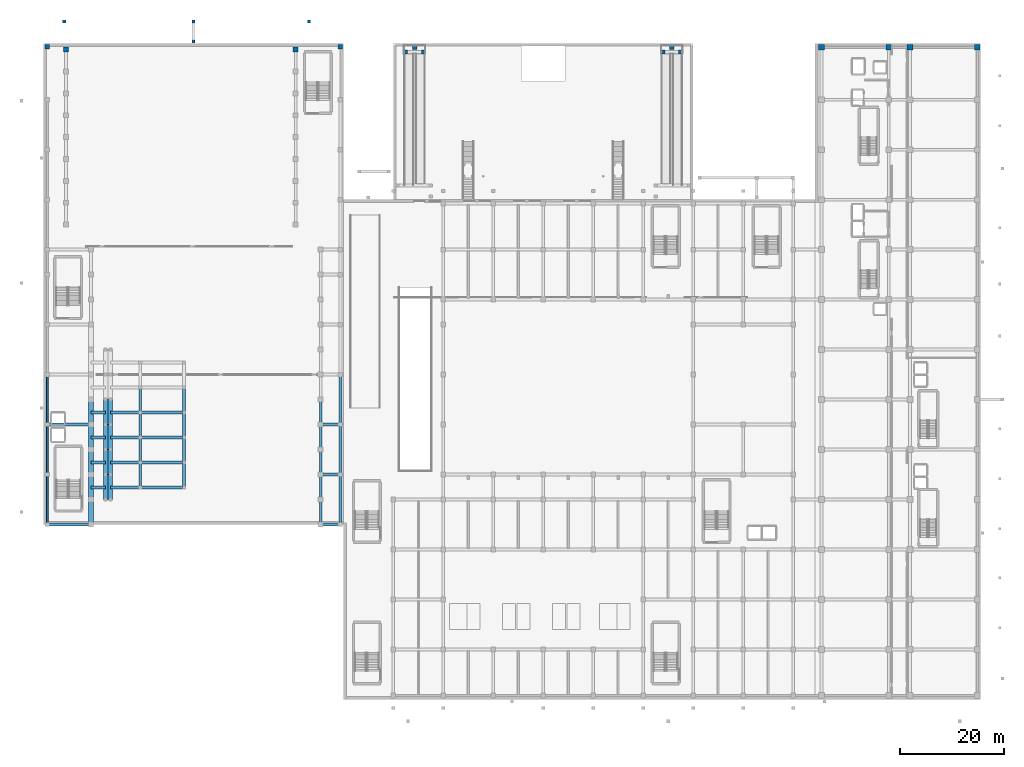
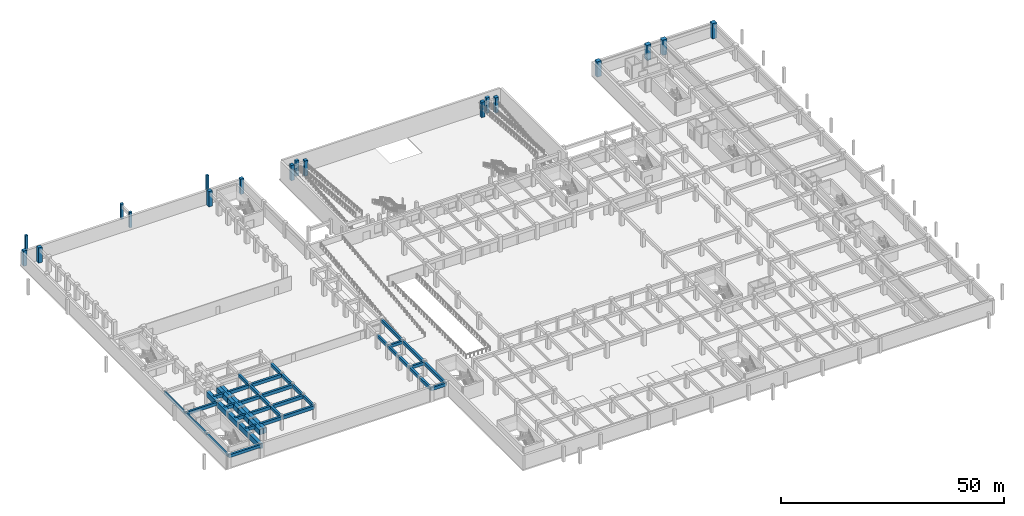
# One storey, part 4 of 39: 49 beams, 18 columns.
"""IFC4 building model written with IfcOpenShell, lengths in metres."""

from ifc_helpers import new_model, si_unit, direction, frame, origin, origin_2d, place, context, subcontext, project, spatial, rectangle, extrude, material, material_profile, profile_set, type_object, element, save


model = new_model("IFC4")

# Units and contexts
model_context = context("Model", 3, precision=1e-05, world=origin(), true_north=direction((0.0, 1.0)))
body_context = subcontext(model_context, "Body", "Model", "MODEL_VIEW")
ifc_project = project(units=[si_unit("LENGTHUNIT", "METRE"), si_unit("AREAUNIT", "SQUARE_METRE"), si_unit("VOLUMEUNIT", "CUBIC_METRE"), si_unit("PLANEANGLEUNIT", "RADIAN"), si_unit("MASSUNIT", "GRAM", prefix="KILO")], contexts=[model_context])

# Site, building, storey
site_placement = place(None, origin())
site = spatial("IfcSite", under=ifc_project, at=site_placement, CompositionType="ELEMENT")
building_placement = place(site_placement, origin())
building = spatial("IfcBuilding", under=site, at=building_placement, Name="Nakhvara Creek Congress Hotel", CompositionType="ELEMENT")
storey_placement = place(building_placement, frame((0.0, 0.0, -4.199951171875)))
storey = spatial("IfcBuildingStorey", under=building, at=storey_placement, Name="B1", CompositionType="ELEMENT", Elevation=-4.199951171875)

# Columns
ifc_material_1 = material(Name="Concrete C50/60", Category="concrete")
ifc_material_profile_1 = material_profile(ifc_material_1, rectangle(XDim=1.10009765625, YDim=1.10009765625, at=origin_2d()), Name="RC-COL 1100x1100", Category="LoadBearing")
ifc_profile_set_1 = profile_set([ifc_material_profile_1], Name="Concrete C50/60")
column_type_1 = type_object("IfcColumnType", Name="COL-RC-1100", PredefinedType="COLUMN", material=ifc_profile_set_1)
for number, where, z_axis, x_axis, name in (
    (1, (149.449951171875, 125.25, 0.0), (0.0, 0.0, 1.0), (1.0, 0.0, 0.0), "Column C01-B1-0497"),
    (2, (162.35009765625, 125.25, 0.0), (0.0, 0.0, 1.0), (1.0, 0.0, 0.0), "Column C01-B1-0511"),
    (3, (166.449951171875, 125.25, 0.0), (0.0, 0.0, 1.0), (1.0, 0.0, 0.0), "Column C01-B1-0525"),
    (4, (179.35009765625, 125.25, 0.0), (0.0, 0.0, 1.0), (1.0, 0.0, 0.0), "Column C01-B1-0539"),
):
    element("IfcColumn", number, at=place(storey_placement, frame(where, z_axis=z_axis, x_axis=x_axis)), inside=storey, type_object=column_type_1, Name=name, PredefinedType="COLUMN", context=body_context, shape_type="SweptSolid", body=[
        extrude(rectangle(XDim=1.10009765625, YDim=1.10009765625, at=origin_2d()), origin(), (0.0, 0.0, 1.0), 4.199951171875),
    ])
ifc_material_profile_2 = material_profile(ifc_material_1, rectangle(XDim=0.60009765625, YDim=0.60009765625, at=origin_2d()), Name="RC-COL 600x600", Category="LoadBearing")
ifc_profile_set_2 = profile_set([ifc_material_profile_2], Name="Concrete C50/60")
column_type_2 = type_object("IfcColumnType", Name="COL-RC-600", PredefinedType="COLUMN", material=ifc_profile_set_2)
for number, where, z_axis, x_axis, name in (
    (5, (4.0, 130.199951171875, 0.0), (0.0, 0.0, 1.0), (1.0, 0.0, 0.0), "Column C08-B1-0557"),
    (6, (28.800048828125, 130.199951171875, 0.0), (0.0, 0.0, 1.0), (1.0, 0.0, 0.0), "Column C08-B1-0558"),
    (7, (51.0, 130.199951171875, 0.0), (0.0, 0.0, 1.0), (1.0, 0.0, 0.0), "Column C08-B1-0559"),
    (8, (28.800048828125, 126.39990234375, 0.0), (0.0, 0.0, 1.0), (1.0, 0.0, 0.0), "Column C08-B1-0560"),
):
    element("IfcColumn", number, at=place(storey_placement, frame(where, z_axis=z_axis, x_axis=x_axis)), inside=storey, type_object=column_type_2, Name=name, PredefinedType="COLUMN", context=body_context, shape_type="SweptSolid", body=[
        extrude(rectangle(XDim=0.60009765625, YDim=0.60009765625, at=origin_2d()), origin(), (0.0, 0.0, 1.0), 4.199951171875),
    ])
ifc_material_profile_3 = material_profile(ifc_material_1, rectangle(XDim=0.85009765625, YDim=0.85009765625, at=origin_2d()), Name="RC-COL 850x850", Category="LoadBearing")
ifc_profile_set_3 = profile_set([ifc_material_profile_3], Name="Concrete C50/60")
column_type_3 = type_object("IfcColumnType", Name="COL-RC-850", PredefinedType="COLUMN", material=ifc_profile_set_3)
for number, where, z_axis, x_axis, name in (
    (9, (0.75, 125.39990234375, 0.0), (0.0, 0.0, 1.0), (1.0, 0.0, 0.0), "Column C18-B1-0382"),
    (10, (57.050048828125, 125.39990234375, 0.0), (0.0, 0.0, 1.0), (1.0, 0.0, 0.0), "Column C18-B1-0383"),
    (11, (69.550048828125, 124.35009765625, 0.0), (0.0, 0.0, 1.0), (1.0, 0.0, 0.0), "Column C18-B1-0546"),
    (12, (73.050048828125, 124.35009765625, 0.0), (0.0, 0.0, 1.0), (1.0, 0.0, 0.0), "Column C18-B1-0547"),
    (13, (71.300048828125, 125.300048828125, 0.0), (0.0, 0.0, 1.0), (1.0, 0.0, 0.0), "Column C18-B1-0548"),
    (14, (118.949951171875, 124.35009765625, 0.0), (0.0, 0.0, 1.0), (1.0, 0.0, 0.0), "Column C18-B1-0549"),
    (15, (122.449951171875, 124.35009765625, 0.0), (0.0, 0.0, 1.0), (1.0, 0.0, 0.0), "Column C18-B1-0550"),
    (16, (120.699951171875, 125.300048828125, 0.0), (0.0, 0.0, 1.0), (1.0, 0.0, 0.0), "Column C18-B1-0551"),
):
    element("IfcColumn", number, at=place(storey_placement, frame(where, z_axis=z_axis, x_axis=x_axis)), inside=storey, type_object=column_type_3, Name=name, PredefinedType="COLUMN", context=body_context, shape_type="SweptSolid", body=[
        extrude(rectangle(XDim=0.85009765625, YDim=0.85009765625, at=origin_2d()), origin(), (0.0, 0.0, 1.0), 4.199951171875),
    ])
ifc_material_profile_4 = material_profile(ifc_material_1, rectangle(XDim=0.949951171875, YDim=0.949951171875, at=origin_2d()), Name="RC-COL 950x950", Category="LoadBearing")
ifc_profile_set_4 = profile_set([ifc_material_profile_4], Name="Concrete C50/60")
column_type_4 = type_object("IfcColumnType", Name="COL-RC-950", PredefinedType="COLUMN", material=ifc_profile_set_4)
for number, where, z_axis, x_axis, name in (
    (17, (4.35009765625, 124.800048828125, 0.0), (0.0, 0.0, 1.0), (1.0, 0.0, 0.0), "Column C17-B1-0374"),
    (18, (48.449951171875, 124.800048828125, 0.0), (0.0, 0.0, 1.0), (1.0, 0.0, 0.0), "Column C17-B1-0375"),
):
    element("IfcColumn", number, at=place(storey_placement, frame(where, z_axis=z_axis, x_axis=x_axis)), inside=storey, type_object=column_type_4, Name=name, PredefinedType="COLUMN", context=body_context, shape_type="SweptSolid", body=[
        extrude(rectangle(XDim=0.949951171875, YDim=0.949951171875, at=origin_2d()), origin(), (0.0, 0.0, 1.0), 4.199951171875),
    ])

# Beams
ifc_material_profile_5 = material_profile(ifc_material_1, rectangle(XDim=0.550048828125, YDim=0.89990234375, at=origin_2d()), Name="RC-RAKER 550x900", Category="LoadBearing")
ifc_profile_set_5 = profile_set([ifc_material_profile_5], Name="Concrete C50/60")
beam_type_1 = type_object("IfcBeamType", Name="BM-RAKER-900", PredefinedType="BEAM", material=ifc_profile_set_5)
beam_1_placement = place(storey_placement, frame((9.14990234375, 40.699951171875, 3.329833984375), z_axis=(1.0, 0.0, 0.0), x_axis=(0.0, 1.0, 0.0)))
element("IfcBeam", 19, at=beam_1_placement, inside=storey, type_object=beam_type_1, Name="Congress Stand RAKER Span A 01", PredefinedType="BEAM", context=body_context, shape_type="SweptSolid", body=[
    extrude(rectangle(XDim=0.550048828125, YDim=0.89990234375, at=origin_2d()), origin(), (0.0, 0.0, 1.0), 2.800048828125),
])
beam_2_placement = place(storey_placement, frame((12.85009765625, 40.699951171875, 3.329833984375), z_axis=(1.0, 0.0, 0.0), x_axis=(0.0, 1.0, 0.0)))
element("IfcBeam", 20, at=beam_2_placement, inside=storey, type_object=beam_type_1, Name="Congress Stand RAKER Span B 01", PredefinedType="BEAM", context=body_context, shape_type="SweptSolid", body=[
    extrude(rectangle(XDim=0.550048828125, YDim=0.89990234375, at=origin_2d()), origin(), (0.0, 0.0, 1.0), 5.75),
])
beam_3_placement = place(storey_placement, frame((18.60009765625, 40.699951171875, 3.329833984375), z_axis=(1.0, 0.0, 0.0), x_axis=(0.0, 1.0, 0.0)))
element("IfcBeam", 21, at=beam_3_placement, inside=storey, type_object=beam_type_1, Name="Congress Stand RAKER Span C 01", PredefinedType="BEAM", context=body_context, shape_type="SweptSolid", body=[
    extrude(rectangle(XDim=0.550048828125, YDim=0.89990234375, at=origin_2d()), origin(), (0.0, 0.0, 1.0), 8.39990234375),
])
beam_4_placement = place(storey_placement, frame((9.14990234375, 45.5, 3.329833984375), z_axis=(1.0, 0.0, 0.0), x_axis=(0.0, 1.0, 0.0)))
element("IfcBeam", 22, at=beam_4_placement, inside=storey, type_object=beam_type_1, Name="Congress Stand RAKER Span A 02", PredefinedType="BEAM", context=body_context, shape_type="SweptSolid", body=[
    extrude(rectangle(XDim=0.550048828125, YDim=0.89990234375, at=origin_2d()), origin(), (0.0, 0.0, 1.0), 2.800048828125),
])
beam_5_placement = place(storey_placement, frame((12.85009765625, 45.5, 3.329833984375), z_axis=(1.0, 0.0, 0.0), x_axis=(0.0, 1.0, 0.0)))
element("IfcBeam", 23, at=beam_5_placement, inside=storey, type_object=beam_type_1, Name="Congress Stand RAKER Span B 02", PredefinedType="BEAM", context=body_context, shape_type="SweptSolid", body=[
    extrude(rectangle(XDim=0.550048828125, YDim=0.89990234375, at=origin_2d()), origin(), (0.0, 0.0, 1.0), 5.75),
])
beam_6_placement = place(storey_placement, frame((18.60009765625, 45.5, 3.329833984375), z_axis=(1.0, 0.0, 0.0), x_axis=(0.0, 1.0, 0.0)))
element("IfcBeam", 24, at=beam_6_placement, inside=storey, type_object=beam_type_1, Name="Congress Stand RAKER Span C 02", PredefinedType="BEAM", context=body_context, shape_type="SweptSolid", body=[
    extrude(rectangle(XDim=0.550048828125, YDim=0.89990234375, at=origin_2d()), origin(), (0.0, 0.0, 1.0), 8.39990234375),
])
beam_7_placement = place(storey_placement, frame((9.14990234375, 50.300048828125, 3.329833984375), z_axis=(1.0, 0.0, 0.0), x_axis=(0.0, 1.0, 0.0)))
element("IfcBeam", 25, at=beam_7_placement, inside=storey, type_object=beam_type_1, Name="Congress Stand RAKER Span A 03", PredefinedType="BEAM", context=body_context, shape_type="SweptSolid", body=[
    extrude(rectangle(XDim=0.550048828125, YDim=0.89990234375, at=origin_2d()), origin(), (0.0, 0.0, 1.0), 2.800048828125),
])
beam_8_placement = place(storey_placement, frame((12.85009765625, 50.300048828125, 3.329833984375), z_axis=(1.0, 0.0, 0.0), x_axis=(0.0, 1.0, 0.0)))
element("IfcBeam", 26, at=beam_8_placement, inside=storey, type_object=beam_type_1, Name="Congress Stand RAKER Span B 03", PredefinedType="BEAM", context=body_context, shape_type="SweptSolid", body=[
    extrude(rectangle(XDim=0.550048828125, YDim=0.89990234375, at=origin_2d()), origin(), (0.0, 0.0, 1.0), 5.75),
])
beam_9_placement = place(storey_placement, frame((18.60009765625, 50.300048828125, 3.329833984375), z_axis=(1.0, 0.0, 0.0), x_axis=(0.0, 1.0, 0.0)))
element("IfcBeam", 27, at=beam_9_placement, inside=storey, type_object=beam_type_1, Name="Congress Stand RAKER Span C 03", PredefinedType="BEAM", context=body_context, shape_type="SweptSolid", body=[
    extrude(rectangle(XDim=0.550048828125, YDim=0.89990234375, at=origin_2d()), origin(), (0.0, 0.0, 1.0), 8.39990234375),
])
beam_10_placement = place(storey_placement, frame((9.14990234375, 55.10009765625, 3.329833984375), z_axis=(1.0, 0.0, 0.0), x_axis=(0.0, 1.0, 0.0)))
element("IfcBeam", 28, at=beam_10_placement, inside=storey, type_object=beam_type_1, Name="Congress Stand RAKER Span A 04", PredefinedType="BEAM", context=body_context, shape_type="SweptSolid", body=[
    extrude(rectangle(XDim=0.550048828125, YDim=0.89990234375, at=origin_2d()), origin(), (0.0, 0.0, 1.0), 2.800048828125),
])
beam_11_placement = place(storey_placement, frame((12.85009765625, 55.10009765625, 3.329833984375), z_axis=(1.0, 0.0, 0.0), x_axis=(0.0, 1.0, 0.0)))
element("IfcBeam", 29, at=beam_11_placement, inside=storey, type_object=beam_type_1, Name="Congress Stand RAKER Span B 04", PredefinedType="BEAM", context=body_context, shape_type="SweptSolid", body=[
    extrude(rectangle(XDim=0.550048828125, YDim=0.89990234375, at=origin_2d()), origin(), (0.0, 0.0, 1.0), 5.75),
])
beam_12_placement = place(storey_placement, frame((18.60009765625, 55.10009765625, 3.329833984375), z_axis=(1.0, 0.0, 0.0), x_axis=(0.0, 1.0, 0.0)))
element("IfcBeam", 30, at=beam_12_placement, inside=storey, type_object=beam_type_1, Name="Congress Stand RAKER Span C 04", PredefinedType="BEAM", context=body_context, shape_type="SweptSolid", body=[
    extrude(rectangle(XDim=0.550048828125, YDim=0.89990234375, at=origin_2d()), origin(), (0.0, 0.0, 1.0), 8.39990234375),
])
ifc_material_profile_6 = material_profile(ifc_material_1, rectangle(XDim=0.52001953125, YDim=0.840087890625, at=origin_2d()), Name="RC-BM 520x840", Category="LoadBearing")
ifc_profile_set_6 = profile_set([ifc_material_profile_6], Name="Concrete C50/60")
beam_type_2 = type_object("IfcBeamType", Name="BM-RC-520X840", PredefinedType="BEAM", material=ifc_profile_set_6)
beam_13_placement = place(storey_placement, frame((0.75, 33.60009765625, 3.35986328125), z_axis=(1.0, 0.0, 0.0), x_axis=(0.0, 1.0, 0.0)))
element("IfcBeam", 31, at=beam_13_placement, inside=storey, type_object=beam_type_2, Name="Beam B14-B1-0365", PredefinedType="BEAM", context=body_context, shape_type="SweptSolid", body=[
    extrude(rectangle(XDim=0.52001953125, YDim=0.840087890625, at=origin_2d()), origin(), (0.0, 0.0, 1.0), 8.39990234375),
])
beam_14_placement = place(storey_placement, frame((57.050048828125, 33.60009765625, 3.35986328125), z_axis=(0.0, 1.0, 0.0), x_axis=(-1.0, 0.0, 0.0)))
element("IfcBeam", 32, at=beam_14_placement, inside=storey, type_object=beam_type_2, Name="Beam B14-B1-0366", PredefinedType="BEAM", context=body_context, shape_type="SweptSolid", body=[
    extrude(rectangle(XDim=0.52001953125, YDim=0.840087890625, at=origin_2d()), origin(), (0.0, 0.0, 1.0), 9.599853515625),
])
beam_15_placement = place(storey_placement, frame((53.25, 33.60009765625, 3.35986328125), z_axis=(1.0, 0.0, 0.0), x_axis=(0.0, 1.0, 0.0)))
element("IfcBeam", 33, at=beam_15_placement, inside=storey, type_object=beam_type_2, Name="Beam B14-B1-0367", PredefinedType="BEAM", context=body_context, shape_type="SweptSolid", body=[
    extrude(rectangle(XDim=0.52001953125, YDim=0.840087890625, at=origin_2d()), origin(), (0.0, 0.0, 1.0), 3.800048828125),
])
beam_16_placement = place(storey_placement, frame((57.050048828125, 43.199951171875, 3.35986328125), z_axis=(0.0, 1.0, 0.0), x_axis=(-1.0, 0.0, 0.0)))
element("IfcBeam", 34, at=beam_16_placement, inside=storey, type_object=beam_type_2, Name="Beam B14-B1-0369", PredefinedType="BEAM", context=body_context, shape_type="SweptSolid", body=[
    extrude(rectangle(XDim=0.52001953125, YDim=0.840087890625, at=origin_2d()), origin(), (0.0, 0.0, 1.0), 9.60009765625),
])
beam_17_placement = place(storey_placement, frame((53.25, 43.199951171875, 3.35986328125), z_axis=(1.0, 0.0, 0.0), x_axis=(0.0, 1.0, 0.0)))
element("IfcBeam", 35, at=beam_17_placement, inside=storey, type_object=beam_type_2, Name="Beam B14-B1-0370", PredefinedType="BEAM", context=body_context, shape_type="SweptSolid", body=[
    extrude(rectangle(XDim=0.52001953125, YDim=0.840087890625, at=origin_2d()), origin(), (0.0, 0.0, 1.0), 3.800048828125),
])
beam_18_placement = place(storey_placement, frame((0.75, 52.800048828125, 3.35986328125), z_axis=(1.0, 0.0, 0.0), x_axis=(0.0, 1.0, 0.0)))
element("IfcBeam", 36, at=beam_18_placement, inside=storey, type_object=beam_type_2, Name="Beam B14-B1-0372", PredefinedType="BEAM", context=body_context, shape_type="SweptSolid", body=[
    extrude(rectangle(XDim=0.52001953125, YDim=0.840087890625, at=origin_2d()), origin(), (0.0, 0.0, 1.0), 8.39990234375),
])
beam_19_placement = place(storey_placement, frame((57.050048828125, 52.800048828125, 3.35986328125), z_axis=(0.0, 1.0, 0.0), x_axis=(-1.0, 0.0, 0.0)))
element("IfcBeam", 37, at=beam_19_placement, inside=storey, type_object=beam_type_2, Name="Beam B14-B1-0373", PredefinedType="BEAM", context=body_context, shape_type="SweptSolid", body=[
    extrude(rectangle(XDim=0.52001953125, YDim=0.840087890625, at=origin_2d()), origin(), (0.0, 0.0, 1.0), 9.599853515625),
])
beam_20_placement = place(storey_placement, frame((53.25, 52.800048828125, 3.35986328125), z_axis=(1.0, 0.0, 0.0), x_axis=(0.0, 1.0, 0.0)))
element("IfcBeam", 38, at=beam_20_placement, inside=storey, type_object=beam_type_2, Name="Beam B14-B1-0374", PredefinedType="BEAM", context=body_context, shape_type="SweptSolid", body=[
    extrude(rectangle(XDim=0.52001953125, YDim=0.840087890625, at=origin_2d()), origin(), (0.0, 0.0, 1.0), 3.800048828125),
])
beam_21_placement = place(storey_placement, frame((53.25, 33.60009765625, 3.35986328125), z_axis=(0.0, 1.0, 0.0), x_axis=(-1.0, 0.0, 0.0)))
element("IfcBeam", 39, at=beam_21_placement, inside=storey, type_object=beam_type_2, Name="Beam B14-B1-0391", PredefinedType="BEAM", context=body_context, shape_type="SweptSolid", body=[
    extrude(rectangle(XDim=0.52001953125, YDim=0.840087890625, at=origin_2d()), origin(), (0.0, 0.0, 1.0), 4.7998046875),
])
for number, where, z_axis, x_axis, name in (
    (40, (53.25, 38.39990234375, 3.35986328125), (0.0, 1.0, 0.0), (-1.0, 0.0, 0.0), "Beam B14-B1-0393"),
    (41, (53.25, 43.199951171875, 3.35986328125), (0.0, 1.0, 0.0), (-1.0, 0.0, 0.0), "Beam B14-B1-0395"),
    (42, (53.25, 48.0, 3.35986328125), (0.0, 1.0, 0.0), (-1.0, 0.0, 0.0), "Beam B14-B1-0397"),
    (43, (53.25, 52.800048828125, 3.35986328125), (0.0, 1.0, 0.0), (-1.0, 0.0, 0.0), "Beam B14-B1-0399"),
    (44, (18.60009765625, 40.699951171875, 3.35986328125), (0.0, 1.0, 0.0), (-1.0, 0.0, 0.0), "Beam B14-B1-0424"),
    (45, (27.0, 40.699951171875, 3.35986328125), (0.0, 1.0, 0.0), (-1.0, 0.0, 0.0), "Beam B14-B1-0425"),
    (46, (18.60009765625, 45.5, 3.35986328125), (0.0, 1.0, 0.0), (-1.0, 0.0, 0.0), "Beam B14-B1-0426"),
    (47, (27.0, 45.5, 3.35986328125), (0.0, 1.0, 0.0), (-1.0, 0.0, 0.0), "Beam B14-B1-0427"),
    (48, (18.60009765625, 50.300048828125, 3.35986328125), (0.0, 1.0, 0.0), (-1.0, 0.0, 0.0), "Beam B14-B1-0428"),
    (49, (27.0, 50.300048828125, 3.35986328125), (0.0, 1.0, 0.0), (-1.0, 0.0, 0.0), "Beam B14-B1-0429"),
):
    element("IfcBeam", number, at=place(storey_placement, frame(where, z_axis=z_axis, x_axis=x_axis)), inside=storey, type_object=beam_type_2, Name=name, PredefinedType="BEAM", context=body_context, shape_type="SweptSolid", body=[
        extrude(rectangle(XDim=0.52001953125, YDim=0.840087890625, at=origin_2d()), origin(), (0.0, 0.0, 1.0), 4.800048828125),
    ])
for number, where, z_axis, x_axis, name in (
    (50, (18.60009765625, 55.10009765625, 3.35986328125), (0.0, 1.0, 0.0), (-1.0, 0.0, 0.0), "Beam B14-B1-0430"),
    (51, (27.0, 55.10009765625, 3.35986328125), (0.0, 1.0, 0.0), (-1.0, 0.0, 0.0), "Beam B14-B1-0431"),
):
    element("IfcBeam", number, at=place(storey_placement, frame(where, z_axis=z_axis, x_axis=x_axis)), inside=storey, type_object=beam_type_2, Name=name, PredefinedType="BEAM", context=body_context, shape_type="SweptSolid", body=[
        extrude(rectangle(XDim=0.52001953125, YDim=0.840087890625, at=origin_2d()), origin(), (0.0, 0.0, 1.0), 4.7998046875),
    ])
ifc_material_2 = material(Name="Concrete C40/50", Category="concrete")
ifc_material_profile_7 = material_profile(ifc_material_2, rectangle(XDim=0.35009765625, YDim=0.75, at=origin_2d()), Name="RC-SPANDREL 350x750", Category="LoadBearing")
ifc_profile_set_7 = profile_set([ifc_material_profile_7], Name="Concrete C40/50")
beam_type_3 = type_object("IfcBeamType", Name="BM-SPN-350X750", PredefinedType="SPANDREL", material=ifc_profile_set_7)
beam_22_placement = place(storey_placement, frame((0.75, 33.60009765625, 3.405029296875), z_axis=(0.0, 1.0, 0.0), x_axis=(-1.0, 0.0, 0.0)))
element("IfcBeam", 52, at=beam_22_placement, inside=storey, type_object=beam_type_3, Name="Beam SP1-B1-0364", PredefinedType="SPANDREL", context=body_context, shape_type="SweptSolid", body=[
    extrude(rectangle(XDim=0.35009765625, YDim=0.75, at=origin_2d()), origin(), (0.0, 0.0, 1.0), 9.599853515625),
])
beam_23_placement = place(storey_placement, frame((0.75, 43.199951171875, 3.405029296875), z_axis=(0.0, 1.0, 0.0), x_axis=(-1.0, 0.0, 0.0)))
element("IfcBeam", 53, at=beam_23_placement, inside=storey, type_object=beam_type_3, Name="Beam SP1-B1-0368", PredefinedType="SPANDREL", context=body_context, shape_type="SweptSolid", body=[
    extrude(rectangle(XDim=0.35009765625, YDim=0.75, at=origin_2d()), origin(), (0.0, 0.0, 1.0), 9.60009765625),
])
beam_24_placement = place(storey_placement, frame((0.75, 52.800048828125, 3.405029296875), z_axis=(0.0, 1.0, 0.0), x_axis=(-1.0, 0.0, 0.0)))
element("IfcBeam", 54, at=beam_24_placement, inside=storey, type_object=beam_type_3, Name="Beam SP1-B1-0371", PredefinedType="SPANDREL", context=body_context, shape_type="SweptSolid", body=[
    extrude(rectangle(XDim=0.35009765625, YDim=0.75, at=origin_2d()), origin(), (0.0, 0.0, 1.0), 9.599853515625),
])
ifc_material_profile_8 = material_profile(ifc_material_1, rectangle(XDim=0.89990234375, YDim=1.39990234375, at=origin_2d()), Name="RC-TG 900x1400", Category="LoadBearing")
ifc_profile_set_8 = profile_set([ifc_material_profile_8], Name="Concrete C50/60")
beam_type_4 = type_object("IfcBeamType", Name="BM-TG1-1400", PredefinedType="BEAM", material=ifc_profile_set_8)
beam_25_placement = place(storey_placement, frame((9.14990234375, 33.60009765625, 3.079833984375), z_axis=(0.0, 1.0, 0.0), x_axis=(-1.0, 0.0, 0.0)))
element("IfcBeam", 55, at=beam_25_placement, inside=storey, type_object=beam_type_4, Name="Transfer Girder TG1-B1-0390", PredefinedType="BEAM", context=body_context, shape_type="SweptSolid", body=[
    extrude(rectangle(XDim=0.89990234375, YDim=1.39990234375, at=origin_2d()), origin(), (0.0, 0.0, 1.0), 4.7998046875),
])
for number, where, z_axis, x_axis, name in (
    (56, (9.14990234375, 38.39990234375, 3.079833984375), (0.0, 1.0, 0.0), (-1.0, 0.0, 0.0), "Transfer Girder TG1-B1-0392"),
    (57, (9.14990234375, 43.199951171875, 3.079833984375), (0.0, 1.0, 0.0), (-1.0, 0.0, 0.0), "Transfer Girder TG1-B1-0394"),
    (58, (9.14990234375, 48.0, 3.079833984375), (0.0, 1.0, 0.0), (-1.0, 0.0, 0.0), "Transfer Girder TG1-B1-0396"),
    (59, (9.14990234375, 52.800048828125, 3.079833984375), (0.0, 1.0, 0.0), (-1.0, 0.0, 0.0), "Transfer Girder TG1-B1-0398"),
    (60, (11.949951171875, 38.39990234375, 3.079833984375), (0.0, 1.0, 0.0), (-1.0, 0.0, 0.0), "Transfer Girder TG1-B1-0412"),
    (61, (12.85009765625, 38.39990234375, 3.079833984375), (0.0, 1.0, 0.0), (-1.0, 0.0, 0.0), "Transfer Girder TG1-B1-0413"),
    (62, (11.949951171875, 43.199951171875, 3.079833984375), (0.0, 1.0, 0.0), (-1.0, 0.0, 0.0), "Transfer Girder TG1-B1-0414"),
    (63, (12.85009765625, 43.199951171875, 3.079833984375), (0.0, 1.0, 0.0), (-1.0, 0.0, 0.0), "Transfer Girder TG1-B1-0415"),
    (64, (11.949951171875, 48.0, 3.079833984375), (0.0, 1.0, 0.0), (-1.0, 0.0, 0.0), "Transfer Girder TG1-B1-0416"),
    (65, (12.85009765625, 48.0, 3.079833984375), (0.0, 1.0, 0.0), (-1.0, 0.0, 0.0), "Transfer Girder TG1-B1-0417"),
    (66, (11.949951171875, 52.800048828125, 3.079833984375), (0.0, 1.0, 0.0), (-1.0, 0.0, 0.0), "Transfer Girder TG1-B1-0418"),
    (67, (12.85009765625, 52.800048828125, 3.079833984375), (0.0, 1.0, 0.0), (-1.0, 0.0, 0.0), "Transfer Girder TG1-B1-0419"),
):
    element("IfcBeam", number, at=place(storey_placement, frame(where, z_axis=z_axis, x_axis=x_axis)), inside=storey, type_object=beam_type_4, Name=name, PredefinedType="BEAM", context=body_context, shape_type="SweptSolid", body=[
        extrude(rectangle(XDim=0.89990234375, YDim=1.39990234375, at=origin_2d()), origin(), (0.0, 0.0, 1.0), 4.800048828125),
    ])

save(model, "model.ifc")
